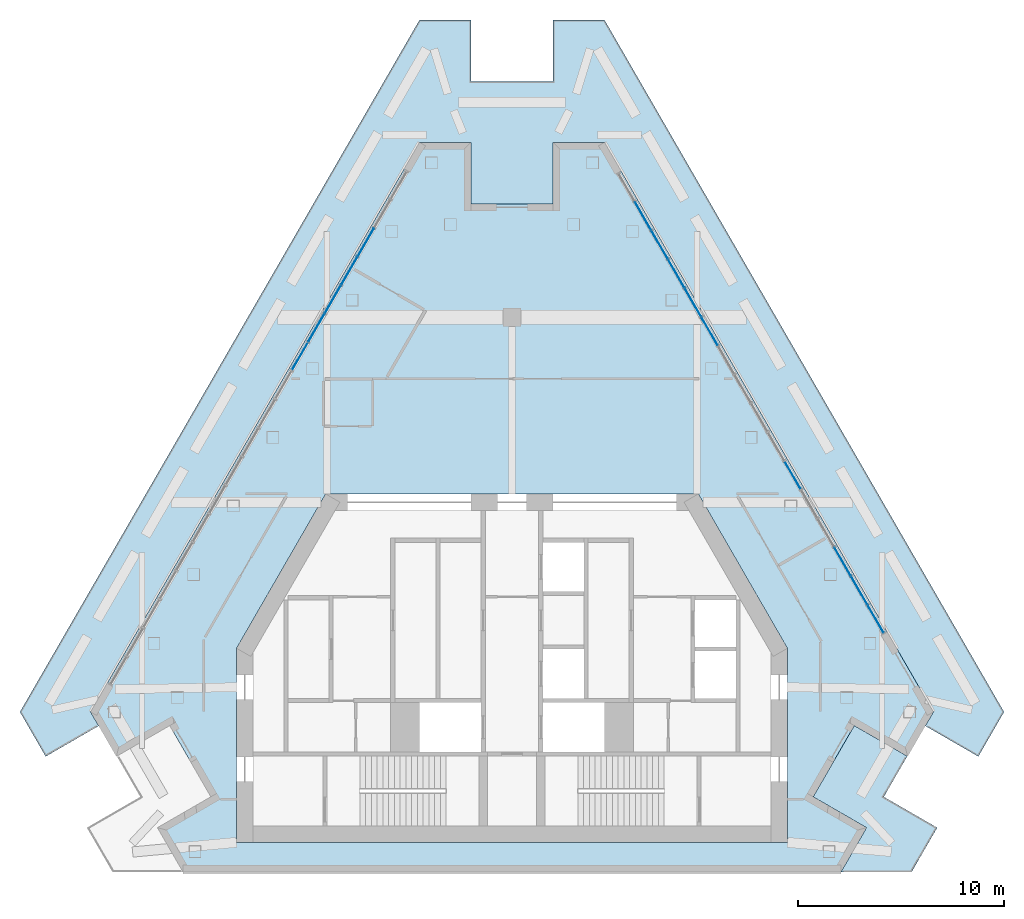
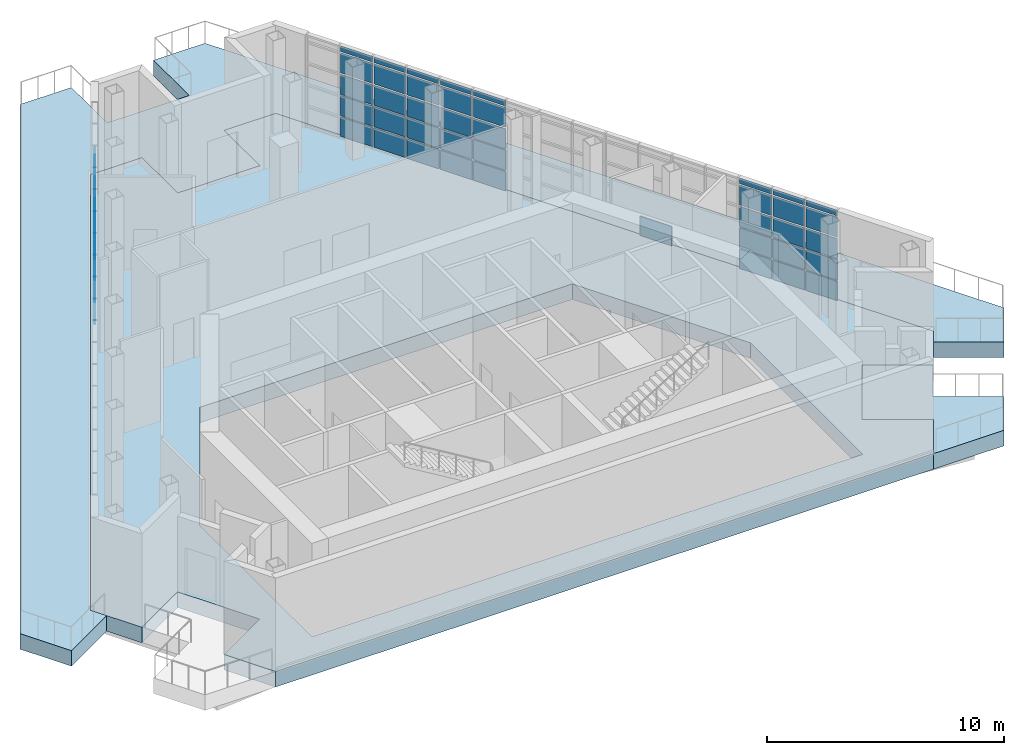
# One storey, part 8 of 15: 62 plates, 3 slabs, 2 elements without a shape of their own.
"""IFC4 building model written with IfcOpenShell, lengths in metres."""

from ifc_helpers import new_model, si_unit, direction, frame, origin, origin_2d, place, context, subcontext, project, spatial, polyline, rectangle, outline, extrude, material, layer, layer_set, type_object, element, aggregate, save


model = new_model("IFC4")

# Units and contexts
model_context = context("Model", 3, precision=1e-05, world=origin(), true_north=direction((0.0, 1.0)))
body_context = subcontext(model_context, "Body", "Model", "MODEL_VIEW")
ifc_project = project(units=[si_unit("LENGTHUNIT", "METRE"), si_unit("AREAUNIT", "SQUARE_METRE"), si_unit("VOLUMEUNIT", "CUBIC_METRE"), si_unit("PLANEANGLEUNIT", "RADIAN"), si_unit("MASSUNIT", "GRAM", prefix="KILO")], contexts=[model_context])

# Site, building, storey
site_placement = place(None, origin())
site = spatial("IfcSite", under=ifc_project, at=site_placement, CompositionType="ELEMENT")
building_placement = place(site_placement, origin())
building = spatial("IfcBuilding", under=site, at=building_placement, Name="Fogline Exchange Tower", CompositionType="ELEMENT")
storey_placement = place(building_placement, frame((0.0, 0.0, 344.699951171875)))
storey = spatial("IfcBuildingStorey", under=building, at=storey_placement, Name="L78", CompositionType="ELEMENT", Elevation=344.699951171875)

# Curtain wall, plates
ifc_material_1 = material(Name="Aluminium and glass", Category="aluminium")
curtain_wall_type = type_object("IfcCurtainWallType", Name="CW5", PredefinedType="NOTDEFINED", material=ifc_material_1)
curtain_wall_1_placement = place(storey_placement, origin())
curtain_wall_1 = element("IfcCurtainWall", 1, at=curtain_wall_1_placement, inside=storey, type_object=curtain_wall_type, Name="CW5 L78 E run 1", PredefinedType="NOTDEFINED")
ifc_material_2 = material(Name="Glass", Category="glass")
ifc_layer_1 = layer(ifc_material_2, 0.033935546875)
ifc_layer_set_1 = layer_set([ifc_layer_1], Name="CW5-P")
plate_type = type_object("IfcPlateType", Name="CW5-P", PredefinedType="CURTAIN_PANEL", material=ifc_layer_set_1)
plate_1_placement = place(storey_placement, frame((17.690185546875, 12.321044921875, 0.080078125), z_axis=(0.0, 0.0, 1.0), x_axis=(-0.499999959462, 0.866025427189, 0.0)))
plate_1 = element("IfcPlate", 2, at=plate_1_placement, type_object=plate_type, Name="CW5-T26-01 panel 1.1", PredefinedType="CURTAIN_PANEL", context=body_context, shape_type="SweptSolid", body=[
    extrude(rectangle(XDim=1.520263671875, YDim=0.033935546875, at=origin_2d()), origin(), (0.0, 0.0, 1.0), 0.97998046875),
])
plate_2_placement = place(storey_placement, frame((17.690185546875, 12.321044921875, 1.14013671875), z_axis=(0.0, 0.0, 1.0), x_axis=(-0.499999959462, 0.866025427189, 0.0)))
plate_2 = element("IfcPlate", 3, at=plate_2_placement, type_object=plate_type, Name="CW5-T26-01 panel 1.2", PredefinedType="CURTAIN_PANEL", context=body_context, shape_type="SweptSolid", body=[
    extrude(rectangle(XDim=1.520263671875, YDim=0.033935546875, at=origin_2d()), origin(), (0.0, 0.0, 1.0), 1.02001953125),
])
plate_3_placement = place(storey_placement, frame((17.690185546875, 12.321044921875, 2.239990234375), z_axis=(0.0, 0.0, 1.0), x_axis=(-0.499999959462, 0.866025427189, 0.0)))
plate_3 = element("IfcPlate", 4, at=plate_3_placement, type_object=plate_type, Name="CW5-T26-01 panel 1.3", PredefinedType="CURTAIN_PANEL", context=body_context, shape_type="SweptSolid", body=[
    extrude(rectangle(XDim=1.520263671875, YDim=0.033935546875, at=origin_2d()), origin(), (0.0, 0.0, 1.0), 1.02001953125),
])
plate_4_placement = place(storey_placement, frame((17.690185546875, 12.321044921875, 3.340087890625), z_axis=(0.0, 0.0, 1.0), x_axis=(-0.499999959462, 0.866025427189, 0.0)))
plate_4 = element("IfcPlate", 5, at=plate_4_placement, type_object=plate_type, Name="CW5-T26-01 panel 1.4", PredefinedType="CURTAIN_PANEL", context=body_context, shape_type="SweptSolid", body=[
    extrude(rectangle(XDim=1.520263671875, YDim=0.033935546875, at=origin_2d()), origin(), (0.0, 0.0, 1.0), 1.02001953125),
])
plate_5_placement = place(storey_placement, frame((17.690185546875, 12.321044921875, 4.43994140625), z_axis=(0.0, 0.0, 1.0), x_axis=(-0.499999959462, 0.866025427189, 0.0)))
plate_5 = element("IfcPlate", 6, at=plate_5_placement, type_object=plate_type, Name="CW5-T26-01 panel 1.5", PredefinedType="CURTAIN_PANEL", context=body_context, shape_type="SweptSolid", body=[
    extrude(rectangle(XDim=1.520263671875, YDim=0.033935546875, at=origin_2d()), origin(), (0.0, 0.0, 1.0), 0.280029296875),
])
plate_6_placement = place(storey_placement, frame((16.889404296875, 13.7080078125, 0.080078125), z_axis=(0.0, 0.0, 1.0), x_axis=(-0.499999959462, 0.866025427189, 0.0)))
plate_6 = element("IfcPlate", 7, at=plate_6_placement, type_object=plate_type, Name="CW5-T26-01 panel 2.1", PredefinedType="CURTAIN_PANEL", context=body_context, shape_type="SweptSolid", body=[
    extrude(rectangle(XDim=1.552734375, YDim=0.033935546875, at=origin_2d()), origin(), (0.0, 0.0, 1.0), 0.97998046875),
])
plate_7_placement = place(storey_placement, frame((16.889404296875, 13.7080078125, 1.14013671875), z_axis=(0.0, 0.0, 1.0), x_axis=(-0.499999959462, 0.866025427189, 0.0)))
plate_7 = element("IfcPlate", 8, at=plate_7_placement, type_object=plate_type, Name="CW5-T26-01 panel 2.2", PredefinedType="CURTAIN_PANEL", context=body_context, shape_type="SweptSolid", body=[
    extrude(rectangle(XDim=1.552734375, YDim=0.033935546875, at=origin_2d()), origin(), (0.0, 0.0, 1.0), 1.02001953125),
])
plate_8_placement = place(storey_placement, frame((16.889404296875, 13.7080078125, 2.239990234375), z_axis=(0.0, 0.0, 1.0), x_axis=(-0.499999959462, 0.866025427189, 0.0)))
plate_8 = element("IfcPlate", 9, at=plate_8_placement, type_object=plate_type, Name="CW5-T26-01 panel 2.3", PredefinedType="CURTAIN_PANEL", context=body_context, shape_type="SweptSolid", body=[
    extrude(rectangle(XDim=1.552734375, YDim=0.033935546875, at=origin_2d()), origin(), (0.0, 0.0, 1.0), 1.02001953125),
])
plate_9_placement = place(storey_placement, frame((16.889404296875, 13.7080078125, 3.340087890625), z_axis=(0.0, 0.0, 1.0), x_axis=(-0.499999959462, 0.866025427189, 0.0)))
plate_9 = element("IfcPlate", 10, at=plate_9_placement, type_object=plate_type, Name="CW5-T26-01 panel 2.4", PredefinedType="CURTAIN_PANEL", context=body_context, shape_type="SweptSolid", body=[
    extrude(rectangle(XDim=1.552734375, YDim=0.033935546875, at=origin_2d()), origin(), (0.0, 0.0, 1.0), 1.02001953125),
])
plate_10_placement = place(storey_placement, frame((16.889404296875, 13.7080078125, 4.43994140625), z_axis=(0.0, 0.0, 1.0), x_axis=(-0.499999959462, 0.866025427189, 0.0)))
plate_10 = element("IfcPlate", 11, at=plate_10_placement, type_object=plate_type, Name="CW5-T26-01 panel 2.5", PredefinedType="CURTAIN_PANEL", context=body_context, shape_type="SweptSolid", body=[
    extrude(rectangle(XDim=1.552734375, YDim=0.033935546875, at=origin_2d()), origin(), (0.0, 0.0, 1.0), 0.280029296875),
])
plate_11_placement = place(storey_placement, frame((16.08056640625, 15.10888671875, 0.080078125), z_axis=(0.0, 0.0, 1.0), x_axis=(-0.499999959462, 0.866025427189, 0.0)))
plate_11 = element("IfcPlate", 12, at=plate_11_placement, type_object=plate_type, Name="CW5-T26-01 panel 3.1", PredefinedType="CURTAIN_PANEL", context=body_context, shape_type="SweptSolid", body=[
    extrude(rectangle(XDim=1.552734375, YDim=0.033935546875, at=origin_2d()), origin(), (0.0, 0.0, 1.0), 0.97998046875),
])
plate_12_placement = place(storey_placement, frame((16.08056640625, 15.10888671875, 1.14013671875), z_axis=(0.0, 0.0, 1.0), x_axis=(-0.499999959462, 0.866025427189, 0.0)))
plate_12 = element("IfcPlate", 13, at=plate_12_placement, type_object=plate_type, Name="CW5-T26-01 panel 3.2", PredefinedType="CURTAIN_PANEL", context=body_context, shape_type="SweptSolid", body=[
    extrude(rectangle(XDim=1.552734375, YDim=0.033935546875, at=origin_2d()), origin(), (0.0, 0.0, 1.0), 1.02001953125),
])
plate_13_placement = place(storey_placement, frame((16.08056640625, 15.10888671875, 2.239990234375), z_axis=(0.0, 0.0, 1.0), x_axis=(-0.499999959462, 0.866025427189, 0.0)))
plate_13 = element("IfcPlate", 14, at=plate_13_placement, type_object=plate_type, Name="CW5-T26-01 panel 3.3", PredefinedType="CURTAIN_PANEL", context=body_context, shape_type="SweptSolid", body=[
    extrude(rectangle(XDim=1.552734375, YDim=0.033935546875, at=origin_2d()), origin(), (0.0, 0.0, 1.0), 1.02001953125),
])
plate_14_placement = place(storey_placement, frame((16.08056640625, 15.10888671875, 3.340087890625), z_axis=(0.0, 0.0, 1.0), x_axis=(-0.499999959462, 0.866025427189, 0.0)))
plate_14 = element("IfcPlate", 15, at=plate_14_placement, type_object=plate_type, Name="CW5-T26-01 panel 3.4", PredefinedType="CURTAIN_PANEL", context=body_context, shape_type="SweptSolid", body=[
    extrude(rectangle(XDim=1.552734375, YDim=0.033935546875, at=origin_2d()), origin(), (0.0, 0.0, 1.0), 1.02001953125),
])
plate_15_placement = place(storey_placement, frame((16.08056640625, 15.10888671875, 4.43994140625), z_axis=(0.0, 0.0, 1.0), x_axis=(-0.499999959462, 0.866025427189, 0.0)))
plate_15 = element("IfcPlate", 16, at=plate_15_placement, type_object=plate_type, Name="CW5-T26-01 panel 3.5", PredefinedType="CURTAIN_PANEL", context=body_context, shape_type="SweptSolid", body=[
    extrude(rectangle(XDim=1.552734375, YDim=0.033935546875, at=origin_2d()), origin(), (0.0, 0.0, 1.0), 0.280029296875),
])
plate_16_placement = place(storey_placement, frame((13.65380859375, 19.312255859375, 0.080078125), z_axis=(0.0, 0.0, 1.0), x_axis=(-0.499999959462, 0.866025427189, 0.0)))
plate_16 = element("IfcPlate", 17, at=plate_16_placement, type_object=plate_type, Name="CW5-T26-01 panel 6.1", PredefinedType="CURTAIN_PANEL", context=body_context, shape_type="SweptSolid", body=[
    extrude(rectangle(XDim=1.552734375, YDim=0.033935546875, at=origin_2d()), origin(), (0.0, 0.0, 1.0), 0.97998046875),
])
plate_17_placement = place(storey_placement, frame((9.609375, 26.317626953125, 0.080078125), z_axis=(0.0, 0.0, 1.0), x_axis=(-0.499999959462, 0.866025427189, 0.0)))
plate_17 = element("IfcPlate", 18, at=plate_17_placement, type_object=plate_type, Name="CW5-T26-01 panel 11.1", PredefinedType="CURTAIN_PANEL", context=body_context, shape_type="SweptSolid", body=[
    extrude(rectangle(XDim=1.552734375, YDim=0.033935546875, at=origin_2d()), origin(), (0.0, 0.0, 1.0), 0.97998046875),
])
plate_18_placement = place(storey_placement, frame((9.609375, 26.317626953125, 1.14013671875), z_axis=(0.0, 0.0, 1.0), x_axis=(-0.499999959462, 0.866025427189, 0.0)))
plate_18 = element("IfcPlate", 19, at=plate_18_placement, type_object=plate_type, Name="CW5-T26-01 panel 11.2", PredefinedType="CURTAIN_PANEL", context=body_context, shape_type="SweptSolid", body=[
    extrude(rectangle(XDim=1.552734375, YDim=0.033935546875, at=origin_2d()), origin(), (0.0, 0.0, 1.0), 1.02001953125),
])
plate_19_placement = place(storey_placement, frame((9.609375, 26.317626953125, 2.239990234375), z_axis=(0.0, 0.0, 1.0), x_axis=(-0.499999959462, 0.866025427189, 0.0)))
plate_19 = element("IfcPlate", 20, at=plate_19_placement, type_object=plate_type, Name="CW5-T26-01 panel 11.3", PredefinedType="CURTAIN_PANEL", context=body_context, shape_type="SweptSolid", body=[
    extrude(rectangle(XDim=1.552734375, YDim=0.033935546875, at=origin_2d()), origin(), (0.0, 0.0, 1.0), 1.02001953125),
])
plate_20_placement = place(storey_placement, frame((9.609375, 26.317626953125, 3.340087890625), z_axis=(0.0, 0.0, 1.0), x_axis=(-0.499999959462, 0.866025427189, 0.0)))
plate_20 = element("IfcPlate", 21, at=plate_20_placement, type_object=plate_type, Name="CW5-T26-01 panel 11.4", PredefinedType="CURTAIN_PANEL", context=body_context, shape_type="SweptSolid", body=[
    extrude(rectangle(XDim=1.552734375, YDim=0.033935546875, at=origin_2d()), origin(), (0.0, 0.0, 1.0), 1.02001953125),
])
plate_21_placement = place(storey_placement, frame((9.609375, 26.317626953125, 4.43994140625), z_axis=(0.0, 0.0, 1.0), x_axis=(-0.499999959462, 0.866025427189, 0.0)))
plate_21 = element("IfcPlate", 22, at=plate_21_placement, type_object=plate_type, Name="CW5-T26-01 panel 11.5", PredefinedType="CURTAIN_PANEL", context=body_context, shape_type="SweptSolid", body=[
    extrude(rectangle(XDim=1.552734375, YDim=0.033935546875, at=origin_2d()), origin(), (0.0, 0.0, 1.0), 0.280029296875),
])
plate_22_placement = place(storey_placement, frame((8.80029296875, 27.718505859375, 0.080078125), z_axis=(0.0, 0.0, 1.0), x_axis=(-0.499999959462, 0.866025427189, 0.0)))
plate_22 = element("IfcPlate", 23, at=plate_22_placement, type_object=plate_type, Name="CW5-T26-01 panel 12.1", PredefinedType="CURTAIN_PANEL", context=body_context, shape_type="SweptSolid", body=[
    extrude(rectangle(XDim=1.552734375, YDim=0.033935546875, at=origin_2d()), origin(), (0.0, 0.0, 1.0), 0.97998046875),
])
plate_23_placement = place(storey_placement, frame((8.80029296875, 27.718505859375, 1.14013671875), z_axis=(0.0, 0.0, 1.0), x_axis=(-0.499999959462, 0.866025427189, 0.0)))
plate_23 = element("IfcPlate", 24, at=plate_23_placement, type_object=plate_type, Name="CW5-T26-01 panel 12.2", PredefinedType="CURTAIN_PANEL", context=body_context, shape_type="SweptSolid", body=[
    extrude(rectangle(XDim=1.552734375, YDim=0.033935546875, at=origin_2d()), origin(), (0.0, 0.0, 1.0), 1.02001953125),
])
plate_24_placement = place(storey_placement, frame((8.80029296875, 27.718505859375, 2.239990234375), z_axis=(0.0, 0.0, 1.0), x_axis=(-0.499999959462, 0.866025427189, 0.0)))
plate_24 = element("IfcPlate", 25, at=plate_24_placement, type_object=plate_type, Name="CW5-T26-01 panel 12.3", PredefinedType="CURTAIN_PANEL", context=body_context, shape_type="SweptSolid", body=[
    extrude(rectangle(XDim=1.552734375, YDim=0.033935546875, at=origin_2d()), origin(), (0.0, 0.0, 1.0), 1.02001953125),
])
plate_25_placement = place(storey_placement, frame((8.80029296875, 27.718505859375, 3.340087890625), z_axis=(0.0, 0.0, 1.0), x_axis=(-0.499999959462, 0.866025427189, 0.0)))
plate_25 = element("IfcPlate", 26, at=plate_25_placement, type_object=plate_type, Name="CW5-T26-01 panel 12.4", PredefinedType="CURTAIN_PANEL", context=body_context, shape_type="SweptSolid", body=[
    extrude(rectangle(XDim=1.552734375, YDim=0.033935546875, at=origin_2d()), origin(), (0.0, 0.0, 1.0), 1.02001953125),
])
plate_26_placement = place(storey_placement, frame((8.80029296875, 27.718505859375, 4.43994140625), z_axis=(0.0, 0.0, 1.0), x_axis=(-0.499999959462, 0.866025427189, 0.0)))
plate_26 = element("IfcPlate", 27, at=plate_26_placement, type_object=plate_type, Name="CW5-T26-01 panel 12.5", PredefinedType="CURTAIN_PANEL", context=body_context, shape_type="SweptSolid", body=[
    extrude(rectangle(XDim=1.552734375, YDim=0.033935546875, at=origin_2d()), origin(), (0.0, 0.0, 1.0), 0.280029296875),
])
plate_27_placement = place(storey_placement, frame((7.991455078125, 29.11962890625, 0.080078125), z_axis=(0.0, 0.0, 1.0), x_axis=(-0.499999959462, 0.866025427189, 0.0)))
plate_27 = element("IfcPlate", 28, at=plate_27_placement, type_object=plate_type, Name="CW5-T26-01 panel 13.1", PredefinedType="CURTAIN_PANEL", context=body_context, shape_type="SweptSolid", body=[
    extrude(rectangle(XDim=1.552734375, YDim=0.033935546875, at=origin_2d()), origin(), (0.0, 0.0, 1.0), 0.97998046875),
])
plate_28_placement = place(storey_placement, frame((7.991455078125, 29.11962890625, 1.14013671875), z_axis=(0.0, 0.0, 1.0), x_axis=(-0.499999959462, 0.866025427189, 0.0)))
plate_28 = element("IfcPlate", 29, at=plate_28_placement, type_object=plate_type, Name="CW5-T26-01 panel 13.2", PredefinedType="CURTAIN_PANEL", context=body_context, shape_type="SweptSolid", body=[
    extrude(rectangle(XDim=1.552734375, YDim=0.033935546875, at=origin_2d()), origin(), (0.0, 0.0, 1.0), 1.02001953125),
])
plate_29_placement = place(storey_placement, frame((7.991455078125, 29.11962890625, 2.239990234375), z_axis=(0.0, 0.0, 1.0), x_axis=(-0.499999959462, 0.866025427189, 0.0)))
plate_29 = element("IfcPlate", 30, at=plate_29_placement, type_object=plate_type, Name="CW5-T26-01 panel 13.3", PredefinedType="CURTAIN_PANEL", context=body_context, shape_type="SweptSolid", body=[
    extrude(rectangle(XDim=1.552734375, YDim=0.033935546875, at=origin_2d()), origin(), (0.0, 0.0, 1.0), 1.02001953125),
])
plate_30_placement = place(storey_placement, frame((7.991455078125, 29.11962890625, 3.340087890625), z_axis=(0.0, 0.0, 1.0), x_axis=(-0.499999959462, 0.866025427189, 0.0)))
plate_30 = element("IfcPlate", 31, at=plate_30_placement, type_object=plate_type, Name="CW5-T26-01 panel 13.4", PredefinedType="CURTAIN_PANEL", context=body_context, shape_type="SweptSolid", body=[
    extrude(rectangle(XDim=1.552734375, YDim=0.033935546875, at=origin_2d()), origin(), (0.0, 0.0, 1.0), 1.02001953125),
])
plate_31_placement = place(storey_placement, frame((7.991455078125, 29.11962890625, 4.43994140625), z_axis=(0.0, 0.0, 1.0), x_axis=(-0.499999959462, 0.866025427189, 0.0)))
plate_31 = element("IfcPlate", 32, at=plate_31_placement, type_object=plate_type, Name="CW5-T26-01 panel 13.5", PredefinedType="CURTAIN_PANEL", context=body_context, shape_type="SweptSolid", body=[
    extrude(rectangle(XDim=1.552734375, YDim=0.033935546875, at=origin_2d()), origin(), (0.0, 0.0, 1.0), 0.280029296875),
])
plate_32_placement = place(storey_placement, frame((7.1826171875, 30.520751953125, 0.080078125), z_axis=(0.0, 0.0, 1.0), x_axis=(-0.499999959462, 0.866025427189, 0.0)))
plate_32 = element("IfcPlate", 33, at=plate_32_placement, type_object=plate_type, Name="CW5-T26-01 panel 14.1", PredefinedType="CURTAIN_PANEL", context=body_context, shape_type="SweptSolid", body=[
    extrude(rectangle(XDim=1.552734375, YDim=0.033935546875, at=origin_2d()), origin(), (0.0, 0.0, 1.0), 0.97998046875),
])
plate_33_placement = place(storey_placement, frame((7.1826171875, 30.520751953125, 1.14013671875), z_axis=(0.0, 0.0, 1.0), x_axis=(-0.499999959462, 0.866025427189, 0.0)))
plate_33 = element("IfcPlate", 34, at=plate_33_placement, type_object=plate_type, Name="CW5-T26-01 panel 14.2", PredefinedType="CURTAIN_PANEL", context=body_context, shape_type="SweptSolid", body=[
    extrude(rectangle(XDim=1.552734375, YDim=0.033935546875, at=origin_2d()), origin(), (0.0, 0.0, 1.0), 1.02001953125),
])
plate_34_placement = place(storey_placement, frame((7.1826171875, 30.520751953125, 2.239990234375), z_axis=(0.0, 0.0, 1.0), x_axis=(-0.499999959462, 0.866025427189, 0.0)))
plate_34 = element("IfcPlate", 35, at=plate_34_placement, type_object=plate_type, Name="CW5-T26-01 panel 14.3", PredefinedType="CURTAIN_PANEL", context=body_context, shape_type="SweptSolid", body=[
    extrude(rectangle(XDim=1.552734375, YDim=0.033935546875, at=origin_2d()), origin(), (0.0, 0.0, 1.0), 1.02001953125),
])
plate_35_placement = place(storey_placement, frame((7.1826171875, 30.520751953125, 3.340087890625), z_axis=(0.0, 0.0, 1.0), x_axis=(-0.499999959462, 0.866025427189, 0.0)))
plate_35 = element("IfcPlate", 36, at=plate_35_placement, type_object=plate_type, Name="CW5-T26-01 panel 14.4", PredefinedType="CURTAIN_PANEL", context=body_context, shape_type="SweptSolid", body=[
    extrude(rectangle(XDim=1.552734375, YDim=0.033935546875, at=origin_2d()), origin(), (0.0, 0.0, 1.0), 1.02001953125),
])
plate_36_placement = place(storey_placement, frame((7.1826171875, 30.520751953125, 4.43994140625), z_axis=(0.0, 0.0, 1.0), x_axis=(-0.499999959462, 0.866025427189, 0.0)))
plate_36 = element("IfcPlate", 37, at=plate_36_placement, type_object=plate_type, Name="CW5-T26-01 panel 14.5", PredefinedType="CURTAIN_PANEL", context=body_context, shape_type="SweptSolid", body=[
    extrude(rectangle(XDim=1.552734375, YDim=0.033935546875, at=origin_2d()), origin(), (0.0, 0.0, 1.0), 0.280029296875),
])
plate_37_placement = place(storey_placement, frame((6.37353515625, 31.921875, 0.080078125), z_axis=(0.0, 0.0, 1.0), x_axis=(-0.499999959462, 0.866025427189, 0.0)))
plate_37 = element("IfcPlate", 38, at=plate_37_placement, type_object=plate_type, Name="CW5-T26-01 panel 15.1", PredefinedType="CURTAIN_PANEL", context=body_context, shape_type="SweptSolid", body=[
    extrude(rectangle(XDim=1.552734375, YDim=0.033935546875, at=origin_2d()), origin(), (0.0, 0.0, 1.0), 0.97998046875),
])
plate_38_placement = place(storey_placement, frame((6.37353515625, 31.921875, 1.14013671875), z_axis=(0.0, 0.0, 1.0), x_axis=(-0.499999959462, 0.866025427189, 0.0)))
plate_38 = element("IfcPlate", 39, at=plate_38_placement, type_object=plate_type, Name="CW5-T26-01 panel 15.2", PredefinedType="CURTAIN_PANEL", context=body_context, shape_type="SweptSolid", body=[
    extrude(rectangle(XDim=1.552734375, YDim=0.033935546875, at=origin_2d()), origin(), (0.0, 0.0, 1.0), 1.02001953125),
])
plate_39_placement = place(storey_placement, frame((6.37353515625, 31.921875, 2.239990234375), z_axis=(0.0, 0.0, 1.0), x_axis=(-0.499999959462, 0.866025427189, 0.0)))
plate_39 = element("IfcPlate", 40, at=plate_39_placement, type_object=plate_type, Name="CW5-T26-01 panel 15.3", PredefinedType="CURTAIN_PANEL", context=body_context, shape_type="SweptSolid", body=[
    extrude(rectangle(XDim=1.552734375, YDim=0.033935546875, at=origin_2d()), origin(), (0.0, 0.0, 1.0), 1.02001953125),
])
plate_40_placement = place(storey_placement, frame((6.37353515625, 31.921875, 3.340087890625), z_axis=(0.0, 0.0, 1.0), x_axis=(-0.499999959462, 0.866025427189, 0.0)))
plate_40 = element("IfcPlate", 41, at=plate_40_placement, type_object=plate_type, Name="CW5-T26-01 panel 15.4", PredefinedType="CURTAIN_PANEL", context=body_context, shape_type="SweptSolid", body=[
    extrude(rectangle(XDim=1.552734375, YDim=0.033935546875, at=origin_2d()), origin(), (0.0, 0.0, 1.0), 1.02001953125),
])
plate_41_placement = place(storey_placement, frame((6.37353515625, 31.921875, 4.43994140625), z_axis=(0.0, 0.0, 1.0), x_axis=(-0.499999959462, 0.866025427189, 0.0)))
plate_41 = element("IfcPlate", 42, at=plate_41_placement, type_object=plate_type, Name="CW5-T26-01 panel 15.5", PredefinedType="CURTAIN_PANEL", context=body_context, shape_type="SweptSolid", body=[
    extrude(rectangle(XDim=1.552734375, YDim=0.033935546875, at=origin_2d()), origin(), (0.0, 0.0, 1.0), 0.280029296875),
])
aggregate(curtain_wall_1, [plate_1, plate_2, plate_3, plate_4, plate_5, plate_6, plate_7, plate_8, plate_9, plate_10, plate_11, plate_12, plate_13, plate_14, plate_15, plate_16, plate_17, plate_18, plate_19, plate_20, plate_21, plate_22, plate_23, plate_24, plate_25, plate_26, plate_27, plate_28, plate_29, plate_30, plate_31, plate_32, plate_33, plate_34, plate_35, plate_36, plate_37, plate_38, plate_39, plate_40, plate_41])

curtain_wall_2_placement = place(storey_placement, origin())
curtain_wall_2 = element("IfcCurtainWall", 43, at=curtain_wall_2_placement, inside=storey, type_object=curtain_wall_type, Name="CW5 L78 W run 1", PredefinedType="NOTDEFINED")
plate_42_placement = place(storey_placement, frame((-7.108642578125, 30.648681640625, 0.080078125), z_axis=(0.0, 0.0, 1.0), x_axis=(-0.500000056787, -0.866025370998, 0.0)))
plate_42 = element("IfcPlate", 44, at=plate_42_placement, type_object=plate_type, Name="CW5-T26-02 panel 3.1", PredefinedType="CURTAIN_PANEL", context=body_context, shape_type="SweptSolid", body=[
    extrude(rectangle(XDim=1.539794921875, YDim=0.033935546875, at=origin_2d()), origin(), (0.0, 0.0, 1.0), 0.97998046875),
])
plate_43_placement = place(storey_placement, frame((-7.108642578125, 30.648681640625, 1.14013671875), z_axis=(0.0, 0.0, 1.0), x_axis=(-0.500000056787, -0.866025370998, 0.0)))
plate_43 = element("IfcPlate", 45, at=plate_43_placement, type_object=plate_type, Name="CW5-T26-02 panel 3.2", PredefinedType="CURTAIN_PANEL", context=body_context, shape_type="SweptSolid", body=[
    extrude(rectangle(XDim=1.539794921875, YDim=0.033935546875, at=origin_2d()), origin(), (0.0, 0.0, 1.0), 1.02001953125),
])
plate_44_placement = place(storey_placement, frame((-7.108642578125, 30.648681640625, 2.239990234375), z_axis=(0.0, 0.0, 1.0), x_axis=(-0.500000056787, -0.866025370998, 0.0)))
plate_44 = element("IfcPlate", 46, at=plate_44_placement, type_object=plate_type, Name="CW5-T26-02 panel 3.3", PredefinedType="CURTAIN_PANEL", context=body_context, shape_type="SweptSolid", body=[
    extrude(rectangle(XDim=1.539794921875, YDim=0.033935546875, at=origin_2d()), origin(), (0.0, 0.0, 1.0), 1.02001953125),
])
plate_45_placement = place(storey_placement, frame((-7.108642578125, 30.648681640625, 3.340087890625), z_axis=(0.0, 0.0, 1.0), x_axis=(-0.500000056787, -0.866025370998, 0.0)))
plate_45 = element("IfcPlate", 47, at=plate_45_placement, type_object=plate_type, Name="CW5-T26-02 panel 3.4", PredefinedType="CURTAIN_PANEL", context=body_context, shape_type="SweptSolid", body=[
    extrude(rectangle(XDim=1.539794921875, YDim=0.033935546875, at=origin_2d()), origin(), (0.0, 0.0, 1.0), 1.02001953125),
])
plate_46_placement = place(storey_placement, frame((-7.108642578125, 30.648681640625, 4.43994140625), z_axis=(0.0, 0.0, 1.0), x_axis=(-0.500000056787, -0.866025370998, 0.0)))
plate_46 = element("IfcPlate", 48, at=plate_46_placement, type_object=plate_type, Name="CW5-T26-02 panel 3.5", PredefinedType="CURTAIN_PANEL", context=body_context, shape_type="SweptSolid", body=[
    extrude(rectangle(XDim=1.539794921875, YDim=0.033935546875, at=origin_2d()), origin(), (0.0, 0.0, 1.0), 0.280029296875),
])
plate_47_placement = place(storey_placement, frame((-7.9111328125, 29.259033203125, 0.080078125), z_axis=(0.0, 0.0, 1.0), x_axis=(-0.500000056787, -0.866025370998, 0.0)))
plate_47 = element("IfcPlate", 49, at=plate_47_placement, type_object=plate_type, Name="CW5-T26-02 panel 4.1", PredefinedType="CURTAIN_PANEL", context=body_context, shape_type="SweptSolid", body=[
    extrude(rectangle(XDim=1.539794921875, YDim=0.033935546875, at=origin_2d()), origin(), (0.0, 0.0, 1.0), 0.97998046875),
])
plate_48_placement = place(storey_placement, frame((-7.9111328125, 29.259033203125, 1.14013671875), z_axis=(0.0, 0.0, 1.0), x_axis=(-0.500000056787, -0.866025370998, 0.0)))
plate_48 = element("IfcPlate", 50, at=plate_48_placement, type_object=plate_type, Name="CW5-T26-02 panel 4.2", PredefinedType="CURTAIN_PANEL", context=body_context, shape_type="SweptSolid", body=[
    extrude(rectangle(XDim=1.539794921875, YDim=0.033935546875, at=origin_2d()), origin(), (0.0, 0.0, 1.0), 1.02001953125),
])
plate_49_placement = place(storey_placement, frame((-7.9111328125, 29.259033203125, 2.239990234375), z_axis=(0.0, 0.0, 1.0), x_axis=(-0.500000056787, -0.866025370998, 0.0)))
plate_49 = element("IfcPlate", 51, at=plate_49_placement, type_object=plate_type, Name="CW5-T26-02 panel 4.3", PredefinedType="CURTAIN_PANEL", context=body_context, shape_type="SweptSolid", body=[
    extrude(rectangle(XDim=1.539794921875, YDim=0.033935546875, at=origin_2d()), origin(), (0.0, 0.0, 1.0), 1.02001953125),
])
plate_50_placement = place(storey_placement, frame((-7.9111328125, 29.259033203125, 3.340087890625), z_axis=(0.0, 0.0, 1.0), x_axis=(-0.500000056787, -0.866025370998, 0.0)))
plate_50 = element("IfcPlate", 52, at=plate_50_placement, type_object=plate_type, Name="CW5-T26-02 panel 4.4", PredefinedType="CURTAIN_PANEL", context=body_context, shape_type="SweptSolid", body=[
    extrude(rectangle(XDim=1.539794921875, YDim=0.033935546875, at=origin_2d()), origin(), (0.0, 0.0, 1.0), 1.02001953125),
])
plate_51_placement = place(storey_placement, frame((-7.9111328125, 29.259033203125, 4.43994140625), z_axis=(0.0, 0.0, 1.0), x_axis=(-0.500000056787, -0.866025370998, 0.0)))
plate_51 = element("IfcPlate", 53, at=plate_51_placement, type_object=plate_type, Name="CW5-T26-02 panel 4.5", PredefinedType="CURTAIN_PANEL", context=body_context, shape_type="SweptSolid", body=[
    extrude(rectangle(XDim=1.539794921875, YDim=0.033935546875, at=origin_2d()), origin(), (0.0, 0.0, 1.0), 0.280029296875),
])
plate_52_placement = place(storey_placement, frame((-8.71337890625, 27.869140625, 0.080078125), z_axis=(0.0, 0.0, 1.0), x_axis=(-0.500000056787, -0.866025370998, 0.0)))
plate_52 = element("IfcPlate", 54, at=plate_52_placement, type_object=plate_type, Name="CW5-T26-02 panel 5.1", PredefinedType="CURTAIN_PANEL", context=body_context, shape_type="SweptSolid", body=[
    extrude(rectangle(XDim=1.539794921875, YDim=0.033935546875, at=origin_2d()), origin(), (0.0, 0.0, 1.0), 0.97998046875),
])
plate_53_placement = place(storey_placement, frame((-8.71337890625, 27.869140625, 1.14013671875), z_axis=(0.0, 0.0, 1.0), x_axis=(-0.500000056787, -0.866025370998, 0.0)))
plate_53 = element("IfcPlate", 55, at=plate_53_placement, type_object=plate_type, Name="CW5-T26-02 panel 5.2", PredefinedType="CURTAIN_PANEL", context=body_context, shape_type="SweptSolid", body=[
    extrude(rectangle(XDim=1.539794921875, YDim=0.033935546875, at=origin_2d()), origin(), (0.0, 0.0, 1.0), 1.02001953125),
])
plate_54_placement = place(storey_placement, frame((-8.71337890625, 27.869140625, 2.239990234375), z_axis=(0.0, 0.0, 1.0), x_axis=(-0.500000056787, -0.866025370998, 0.0)))
plate_54 = element("IfcPlate", 56, at=plate_54_placement, type_object=plate_type, Name="CW5-T26-02 panel 5.3", PredefinedType="CURTAIN_PANEL", context=body_context, shape_type="SweptSolid", body=[
    extrude(rectangle(XDim=1.539794921875, YDim=0.033935546875, at=origin_2d()), origin(), (0.0, 0.0, 1.0), 1.02001953125),
])
plate_55_placement = place(storey_placement, frame((-8.71337890625, 27.869140625, 3.340087890625), z_axis=(0.0, 0.0, 1.0), x_axis=(-0.500000056787, -0.866025370998, 0.0)))
plate_55 = element("IfcPlate", 57, at=plate_55_placement, type_object=plate_type, Name="CW5-T26-02 panel 5.4", PredefinedType="CURTAIN_PANEL", context=body_context, shape_type="SweptSolid", body=[
    extrude(rectangle(XDim=1.539794921875, YDim=0.033935546875, at=origin_2d()), origin(), (0.0, 0.0, 1.0), 1.02001953125),
])
plate_56_placement = place(storey_placement, frame((-8.71337890625, 27.869140625, 4.43994140625), z_axis=(0.0, 0.0, 1.0), x_axis=(-0.500000056787, -0.866025370998, 0.0)))
plate_56 = element("IfcPlate", 58, at=plate_56_placement, type_object=plate_type, Name="CW5-T26-02 panel 5.5", PredefinedType="CURTAIN_PANEL", context=body_context, shape_type="SweptSolid", body=[
    extrude(rectangle(XDim=1.539794921875, YDim=0.033935546875, at=origin_2d()), origin(), (0.0, 0.0, 1.0), 0.280029296875),
])
plate_57_placement = place(storey_placement, frame((-9.515869140625, 26.4794921875, 0.080078125), z_axis=(0.0, 0.0, 1.0), x_axis=(-0.500000056787, -0.866025370998, 0.0)))
plate_57 = element("IfcPlate", 59, at=plate_57_placement, type_object=plate_type, Name="CW5-T26-02 panel 6.1", PredefinedType="CURTAIN_PANEL", context=body_context, shape_type="SweptSolid", body=[
    extrude(rectangle(XDim=1.539794921875, YDim=0.033935546875, at=origin_2d()), origin(), (0.0, 0.0, 1.0), 0.97998046875),
])
plate_58_placement = place(storey_placement, frame((-9.515869140625, 26.4794921875, 1.14013671875), z_axis=(0.0, 0.0, 1.0), x_axis=(-0.500000056787, -0.866025370998, 0.0)))
plate_58 = element("IfcPlate", 60, at=plate_58_placement, type_object=plate_type, Name="CW5-T26-02 panel 6.2", PredefinedType="CURTAIN_PANEL", context=body_context, shape_type="SweptSolid", body=[
    extrude(rectangle(XDim=1.539794921875, YDim=0.033935546875, at=origin_2d()), origin(), (0.0, 0.0, 1.0), 1.02001953125),
])
plate_59_placement = place(storey_placement, frame((-9.515869140625, 26.4794921875, 2.239990234375), z_axis=(0.0, 0.0, 1.0), x_axis=(-0.500000056787, -0.866025370998, 0.0)))
plate_59 = element("IfcPlate", 61, at=plate_59_placement, type_object=plate_type, Name="CW5-T26-02 panel 6.3", PredefinedType="CURTAIN_PANEL", context=body_context, shape_type="SweptSolid", body=[
    extrude(rectangle(XDim=1.539794921875, YDim=0.033935546875, at=origin_2d()), origin(), (0.0, 0.0, 1.0), 1.02001953125),
])
plate_60_placement = place(storey_placement, frame((-9.515869140625, 26.4794921875, 3.340087890625), z_axis=(0.0, 0.0, 1.0), x_axis=(-0.500000056787, -0.866025370998, 0.0)))
plate_60 = element("IfcPlate", 62, at=plate_60_placement, type_object=plate_type, Name="CW5-T26-02 panel 6.4", PredefinedType="CURTAIN_PANEL", context=body_context, shape_type="SweptSolid", body=[
    extrude(rectangle(XDim=1.539794921875, YDim=0.033935546875, at=origin_2d()), origin(), (0.0, 0.0, 1.0), 1.02001953125),
])
plate_61_placement = place(storey_placement, frame((-9.515869140625, 26.4794921875, 4.43994140625), z_axis=(0.0, 0.0, 1.0), x_axis=(-0.500000056787, -0.866025370998, 0.0)))
plate_61 = element("IfcPlate", 63, at=plate_61_placement, type_object=plate_type, Name="CW5-T26-02 panel 6.5", PredefinedType="CURTAIN_PANEL", context=body_context, shape_type="SweptSolid", body=[
    extrude(rectangle(XDim=1.539794921875, YDim=0.033935546875, at=origin_2d()), origin(), (0.0, 0.0, 1.0), 0.280029296875),
])
plate_62_placement = place(storey_placement, frame((-10.318115234375, 25.08984375, 4.43994140625), z_axis=(0.0, 0.0, 1.0), x_axis=(-0.500000056787, -0.866025370998, 0.0)))
plate_62 = element("IfcPlate", 64, at=plate_62_placement, type_object=plate_type, Name="CW5-T26-02 panel 7.5", PredefinedType="CURTAIN_PANEL", context=body_context, shape_type="SweptSolid", body=[
    extrude(rectangle(XDim=1.539794921875, YDim=0.033935546875, at=origin_2d()), origin(), (0.0, 0.0, 1.0), 0.280029296875),
])
aggregate(curtain_wall_2, [plate_42, plate_43, plate_44, plate_45, plate_46, plate_47, plate_48, plate_49, plate_50, plate_51, plate_52, plate_53, plate_54, plate_55, plate_56, plate_57, plate_58, plate_59, plate_60, plate_61, plate_62])

# Slabs
ifc_material_3 = material(Name="Concrete C40", Category="concrete")
ifc_layer_2 = layer(ifc_material_3, 0.800048828125)
ifc_layer_set_2 = layer_set([ifc_layer_2], Name="S07")
slab_type_1 = type_object("IfcSlabType", Name="S07", PredefinedType="FLOOR", material=ifc_layer_set_2)
slab_1_placement = place(storey_placement, frame((0.0, 0.0, -0.800048828125)))
element("IfcSlab", 65, at=slab_1_placement, inside=storey, type_object=slab_type_1, Name="TRANSFER SLAB L78", PredefinedType="FLOOR", context=body_context, shape_type="SweptSolid", body=[
    extrude(outline(polyline([(-4.5, 35.507080078125), (-20.5, 7.794189453125), (-19.25, 5.629150390625), (-16.65185546875, 7.129150390625), (-14.65185546875, 3.6650390625), (-17.25, 2.1650390625), (-16.0, 0.0), (16.0, 0.0), (17.25, 2.1650390625), (14.65185546875, 3.6650390625), (16.65185546875, 7.129150390625), (19.25, 5.629150390625), (20.5, 7.794189453125), (4.5, 35.507080078125), (2.0, 35.507080078125), (2.0, 32.507080078125), (-2.0, 32.507080078125), (-2.0, 35.507080078125), (-4.5, 35.507080078125)]), holes=[polyline([(13.39990234375, 1.449951171875), (-13.39990234375, 1.449951171875), (-13.39990234375, 10.891845703125), (-9.065185546875, 18.39990234375), (9.065185546875, 18.39990234375), (13.39990234375, 10.891845703125), (13.39990234375, 1.449951171875)])]), origin(), (0.0, 0.0, 1.0), 0.800048828125),
])
ifc_layer_3 = layer(ifc_material_3, 0.800048828125)
ifc_layer_set_3 = layer_set([ifc_layer_3], Name="S08")
slab_type_2 = type_object("IfcSlabType", Name="S08", PredefinedType="FLOOR", material=ifc_layer_set_3)
slab_2_placement = place(storey_placement, frame((0.0, 0.0, -0.800048828125)))
element("IfcSlab", 66, at=slab_2_placement, inside=storey, type_object=slab_type_2, Name="SLAB L78 TERRACE", PredefinedType="FLOOR", context=body_context, shape_type="SweptSolid", body=[
    extrude(outline(polyline([(-22.68505859375, 5.629150390625), (-20.10888671875, 7.11669921875), (-20.5, 7.794189453125), (-4.5, 35.507080078125), (-2.0, 35.507080078125), (-2.0, 32.507080078125), (2.0, 32.507080078125), (2.0, 35.507080078125), (4.5, 35.507080078125), (20.5, 7.794189453125), (20.10888671875, 7.11669921875), (22.68505859375, 5.629150390625), (23.93505859375, 7.794189453125), (4.5, 41.456787109375), (2.0, 41.456787109375), (2.0, 38.456787109375), (-2.0, 38.456787109375), (-2.0, 41.456787109375), (-4.5, 41.456787109375), (-23.93505859375, 7.794189453125), (-22.68505859375, 5.629150390625)])), origin(), (0.0, 0.0, 1.0), 0.800048828125),
])
slab_3_placement = place(storey_placement, frame((0.0, 0.0, -0.800048828125)))
element("IfcSlab", 67, at=slab_3_placement, inside=storey, type_object=slab_type_2, Name="SLAB L78 TERRACE", PredefinedType="FLOOR", context=body_context, shape_type="SweptSolid", body=[
    extrude(outline(polyline([(18.0869140625, 3.6650390625), (19.228271484375, 5.641845703125), (16.65185546875, 7.129150390625), (14.65185546875, 3.6650390625), (17.25, 2.1650390625), (16.0, 0.0), (19.43505859375, 0.0), (20.68505859375, 2.1650390625), (18.0869140625, 3.6650390625)])), origin(), (0.0, 0.0, 1.0), 0.800048828125),
])

save(model, "model.ifc")
